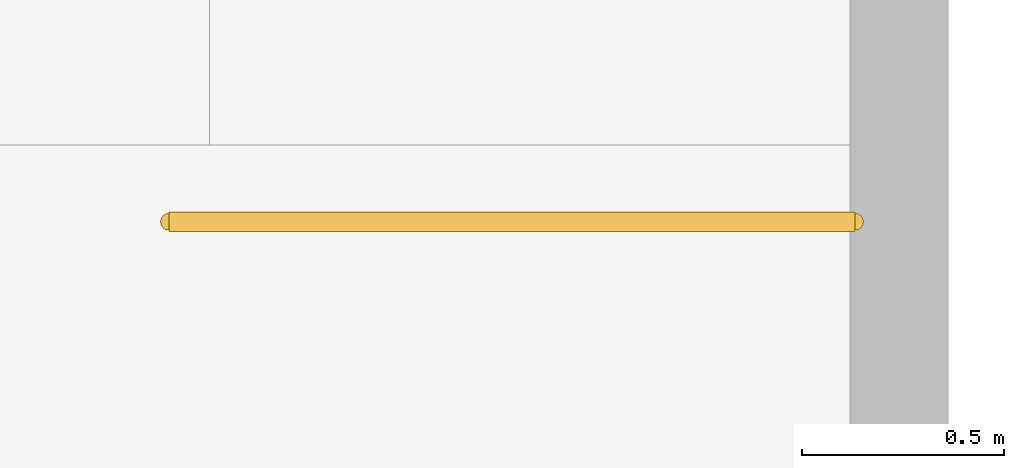
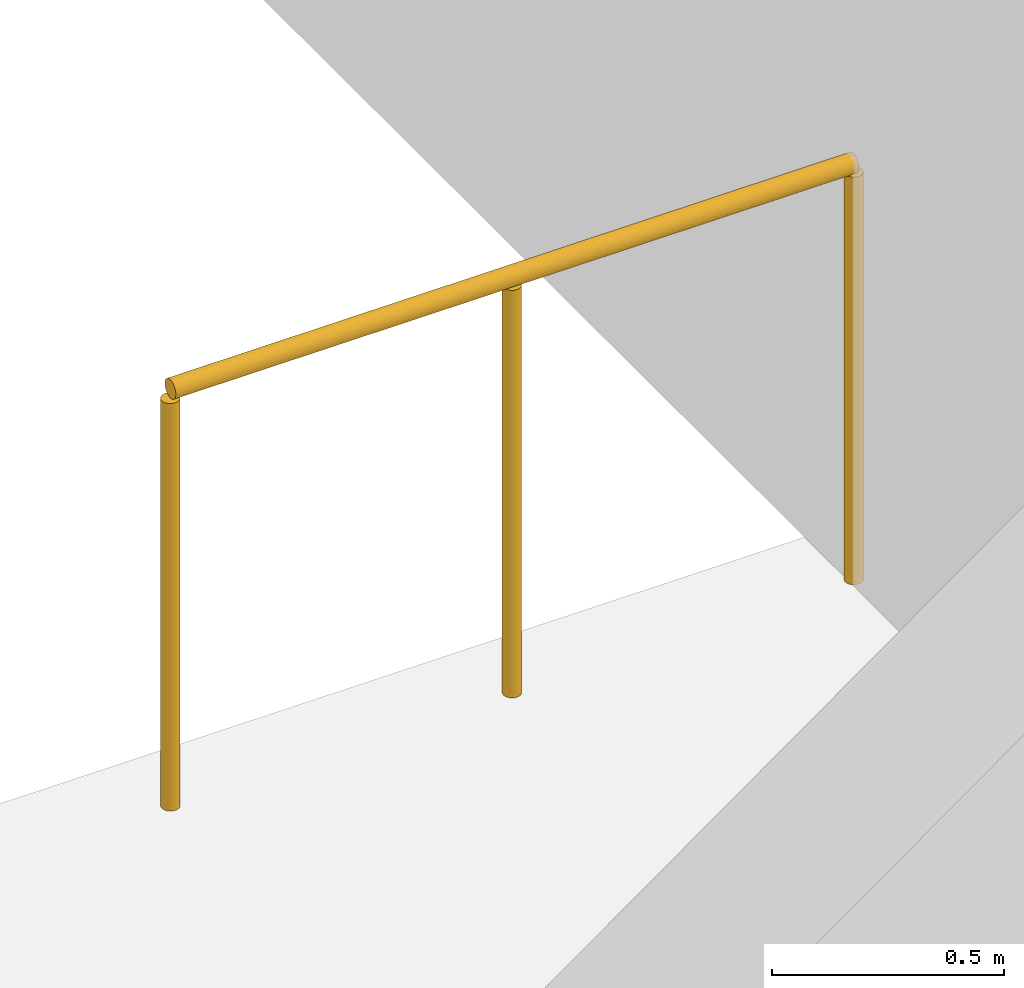
# One storey, part 2 of 2: 1 railing.
"""IFC4 building model written with IfcOpenShell, lengths in metres."""

from ifc_helpers import new_model, si_unit, direction, frame, origin, origin_2d, place, context, subcontext, project, spatial, circle, extrude, material, type_object, element, save


model = new_model("IFC4")

# Units and contexts
model_context = context("Model", 3, precision=1e-05, world=origin(), true_north=direction((0.0, 1.0)))
body_context = subcontext(model_context, "Body", "Model", "MODEL_VIEW")
ifc_project = project(units=[si_unit("LENGTHUNIT", "METRE"), si_unit("AREAUNIT", "SQUARE_METRE"), si_unit("VOLUMEUNIT", "CUBIC_METRE"), si_unit("PLANEANGLEUNIT", "RADIAN"), si_unit("MASSUNIT", "GRAM", prefix="KILO")], contexts=[model_context])

# Site, building, storey
site_placement = place(None, origin())
site = spatial("IfcSite", under=ifc_project, at=site_placement, CompositionType="ELEMENT")
building_placement = place(site_placement, origin())
building = spatial("IfcBuilding", under=site, at=building_placement, Name="Tlaxcora Railside Police Headquarters", CompositionType="ELEMENT")
storey_placement = place(building_placement, frame((0.0, 0.0, 33.60009765625)))
storey = spatial("IfcBuildingStorey", under=building, at=storey_placement, Name="ROOF", CompositionType="ELEMENT", Elevation=33.60009765625)

# Railing
ifc_material = material(Name="Steel ASTM A992 Grade 50", Category="steel")
railing_type = type_object("IfcRailingType", Name="Stair Well Guard Balustrade GR-02", PredefinedType="BALUSTRADE", material=ifc_material)
railing_placement = place(storey_placement, frame((25.31005859375, 87.06005859375, 0.0)))
element("IfcRailing", 1, at=railing_placement, inside=storey, type_object=railing_type, Name="ROOF ST1 top well guard 1", PredefinedType="BALUSTRADE", context=body_context, shape_type="SweptSolid", body=[
    extrude(circle(Radius=0.02392578125, at=origin_2d()), frame((0.0, 0.0, 1.09619140625), z_axis=(-1.0, 0.0, 0.0), x_axis=(0.0, -1.0, 0.0)), (0.0, 0.0, 1.0), 1.699951171875),
    extrude(circle(Radius=0.02099609375, at=origin_2d()), origin(), (0.0, 0.0, 1.0), 1.072021484375),
    extrude(circle(Radius=0.02099609375, at=origin_2d()), frame((-0.85009765625, 0.0, 0.0)), (0.0, 0.0, 1.0), 1.072021484375),
    extrude(circle(Radius=0.02099609375, at=origin_2d()), frame((-1.699951171875, 0.0, 0.0)), (0.0, 0.0, 1.0), 1.072021484375),
])

save(model, "model.ifc")
